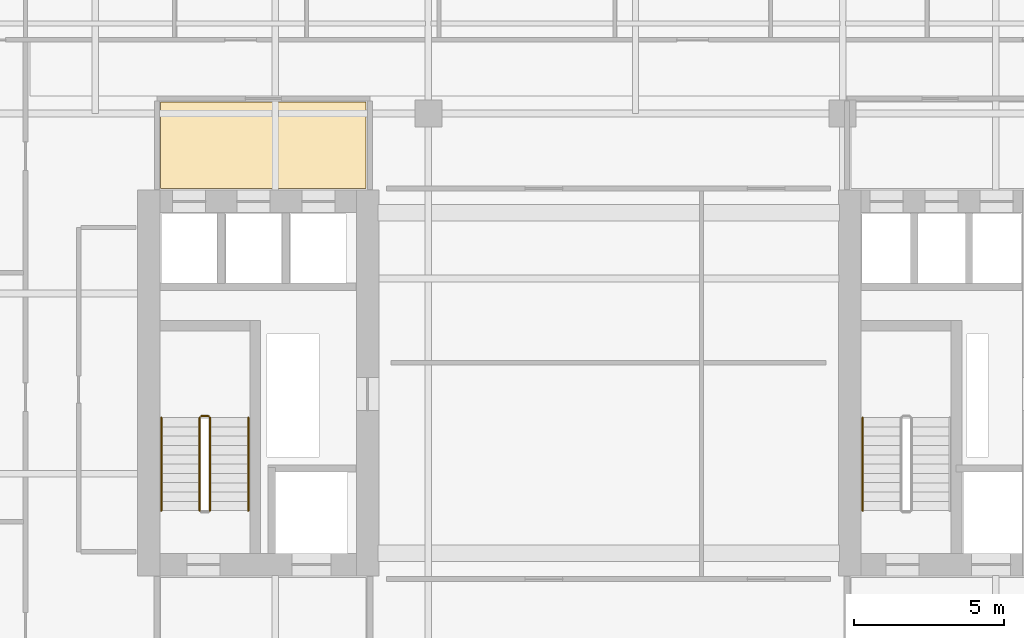
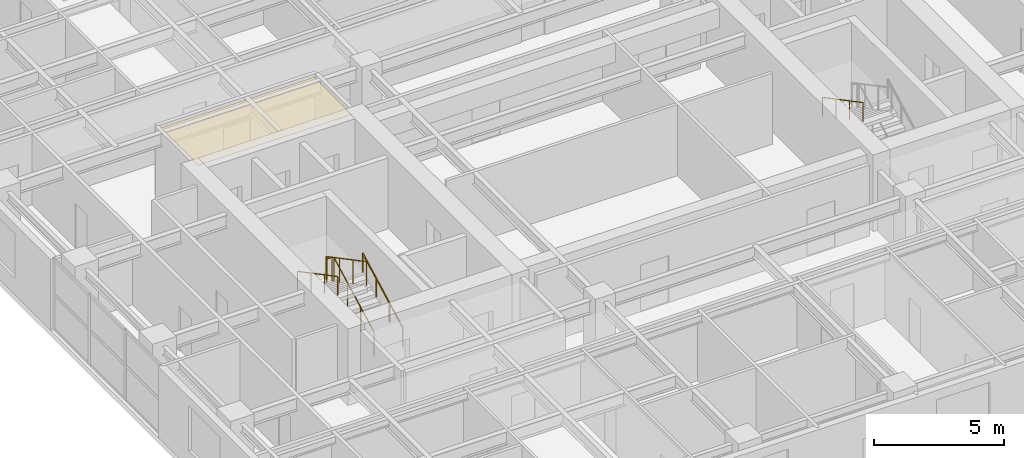
# One storey, part 14 of 16: 6 railings, 1 covering.
"""IFC4 building model written with IfcOpenShell, lengths in metres."""

from ifc_helpers import new_model, si_unit, direction, frame, origin, origin_2d, place, context, subcontext, project, spatial, polyline, circle, outline, extrude, material, layer, layer_set, type_object, element, save


model = new_model("IFC4")

# Units and contexts
model_context = context("Model", 3, precision=1e-05, world=origin(), true_north=direction((0.0, 1.0)))
body_context = subcontext(model_context, "Body", "Model", "MODEL_VIEW")
ifc_project = project(units=[si_unit("LENGTHUNIT", "METRE"), si_unit("AREAUNIT", "SQUARE_METRE"), si_unit("VOLUMEUNIT", "CUBIC_METRE"), si_unit("PLANEANGLEUNIT", "RADIAN"), si_unit("MASSUNIT", "GRAM", prefix="KILO")], contexts=[model_context])

# Site, building, storey
site_placement = place(None, origin())
site = spatial("IfcSite", under=ifc_project, at=site_placement, CompositionType="ELEMENT")
building_placement = place(site_placement, origin())
building = spatial("IfcBuilding", under=site, at=building_placement, Name="Khoralis Quay Care Tower", CompositionType="ELEMENT")
storey_placement = place(building_placement, frame((0.0, 0.0, 137.699951171875)))
storey = spatial("IfcBuildingStorey", under=building, at=storey_placement, Name="L36", CompositionType="ELEMENT", Elevation=137.699951171875)

# Covering
ifc_material_1 = material(Name="Mineral-fibre acoustic ceiling tile")
ifc_layer = layer(ifc_material_1, 0.01806640625)
ifc_layer_set = layer_set([ifc_layer], Name="Mineral-fibre acoustic ceiling tile")
covering_type = type_object("IfcCoveringType", Name="COV-CEIL-AC18", PredefinedType="CEILING", material=ifc_layer_set)
covering_placement = place(storey_placement, frame((0.0, 0.0, 3.192138671875)))
element("IfcCovering", 1, at=covering_placement, inside=storey, type_object=covering_type, Name="Suspended Acoustic Ceiling SP-L36-LLOB-W", PredefinedType="CEILING", context=body_context, shape_type="SweptSolid", body=[
    extrude(outline(polyline([(8.179931640625, 27.5), (15.02001953125, 27.5), (15.02001953125, 30.389892578125), (8.179931640625, 30.389892578125), (8.179931640625, 27.5)])), origin(), (0.0, 0.0, 1.0), 0.017822265625),
])

# Railings
ifc_material_2 = material(Name="Brushed stainless steel", Category="steel")
railing_type_1 = type_object("IfcRailingType", Name="RL-GUARD-1150", PredefinedType="GUARDRAIL", material=ifc_material_2)
railing_1_placement = place(storey_placement, frame((9.820068359375, 16.77001953125, 0.16357421875)))
element("IfcRailing", 2, at=railing_1_placement, inside=storey, type_object=railing_type_1, Name="L36 ST-T1 stair guard 1", PredefinedType="GUARDRAIL", context=body_context, shape_type="SweptSolid", body=[
    extrude(circle(Radius=0.02392578125, at=origin_2d()), frame((0.0, 0.0, 1.1259765625), z_axis=(0.0, 0.884348015382, 0.466828220752), x_axis=(-1.0, 0.0, 0.0)), (0.0, 0.0, 1.0), 3.505615234375),
    extrude(circle(Radius=0.02099609375, at=origin_2d()), origin(), (0.0, 0.0, 1.0), 1.101806640625),
    extrude(circle(Radius=0.02099609375, at=origin_2d()), frame((0.0, 1.033447265625, 0.54541015625)), (0.0, 0.0, 1.0), 1.101806640625),
    extrude(circle(Radius=0.02099609375, at=origin_2d()), frame((0.0, 2.066650390625, 1.091064453125)), (0.0, 0.0, 1.0), 1.101806640625),
    extrude(circle(Radius=0.02099609375, at=origin_2d()), frame((0.0, 3.10009765625, 1.636474609375)), (0.0, 0.0, 1.0), 1.101806640625),
])
railing_2_placement = place(storey_placement, frame((9.77001953125, 19.919921875, 1.800048828125)))
element("IfcRailing", 3, at=railing_2_placement, inside=storey, type_object=railing_type_1, Name="L36 ST-T1 stair guard 2", PredefinedType="GUARDRAIL", context=body_context, shape_type="SweptSolid", body=[
    extrude(circle(Radius=0.02392578125, at=origin_2d()), frame((0.0, 0.0, 1.1259765625), z_axis=(-1.0, 0.0, 0.0), x_axis=(0.0, -1.0, 0.0)), (0.0, 0.0, 1.0), 0.239990234375),
    extrude(circle(Radius=0.02099609375, at=origin_2d()), origin(), (0.0, 0.0, 1.0), 1.101806640625),
    extrude(circle(Radius=0.02099609375, at=origin_2d()), frame((-0.239990234375, 0.0, 0.0)), (0.0, 0.0, 1.0), 1.101806640625),
])
railing_3_placement = place(storey_placement, frame((9.47998046875, 19.8701171875, 1.963623046875)))
element("IfcRailing", 4, at=railing_3_placement, inside=storey, type_object=railing_type_1, Name="L36 ST-T1 stair guard 3", PredefinedType="GUARDRAIL", context=body_context, shape_type="SweptSolid", body=[
    extrude(circle(Radius=0.02392578125, at=origin_2d()), frame((0.0, 0.0, 1.1259765625), z_axis=(0.0, -0.884348015382, 0.466828220752), x_axis=(1.0, 0.0, 0.0)), (0.0, 0.0, 1.0), 3.505615234375),
    extrude(circle(Radius=0.02099609375, at=origin_2d()), origin(), (0.0, 0.0, 1.0), 1.101806640625),
    extrude(circle(Radius=0.02099609375, at=origin_2d()), frame((0.0, -1.033447265625, 0.54541015625)), (0.0, 0.0, 1.0), 1.101806640625),
    extrude(circle(Radius=0.02099609375, at=origin_2d()), frame((0.0, -2.066650390625, 1.091064453125)), (0.0, 0.0, 1.0), 1.101806640625),
    extrude(circle(Radius=0.02099609375, at=origin_2d()), frame((0.0, -3.10009765625, 1.636474609375)), (0.0, 0.0, 1.0), 1.101806640625),
])
railing_type_2 = type_object("IfcRailingType", Name="RL-HAND-900", PredefinedType="HANDRAIL", material=ifc_material_2)
railing_4_placement = place(storey_placement, frame((11.10009765625, 16.77001953125, 0.16357421875)))
element("IfcRailing", 5, at=railing_4_placement, inside=storey, type_object=railing_type_2, Name="L36 ST-T1 stair handrail 1", PredefinedType="HANDRAIL", context=body_context, shape_type="SweptSolid", body=[
    extrude(circle(Radius=0.02392578125, at=origin_2d()), frame((0.0, 0.0, 0.8759765625), z_axis=(0.0, 0.884348015382, 0.466828220752), x_axis=(-1.0, 0.0, 0.0)), (0.0, 0.0, 1.0), 3.505615234375),
    extrude(circle(Radius=0.02099609375, at=origin_2d()), origin(), (0.0, 0.0, 1.0), 0.851806640625),
    extrude(circle(Radius=0.02099609375, at=origin_2d()), frame((0.0, 1.033447265625, 0.54541015625)), (0.0, 0.0, 1.0), 0.851806640625),
    extrude(circle(Radius=0.02099609375, at=origin_2d()), frame((0.0, 2.066650390625, 1.091064453125)), (0.0, 0.0, 1.0), 0.851806640625),
    extrude(circle(Radius=0.02099609375, at=origin_2d()), frame((0.0, 3.10009765625, 1.636474609375)), (0.0, 0.0, 1.0), 0.851806640625),
])
for number, where, name in (
    (6, (8.199951171875, 19.8701171875, 1.963623046875), "L36 ST-T1 stair handrail 2"),
    (7, (31.570068359375, 19.8701171875, 1.963623046875), "L36 ST-T2 stair handrail 2"),
):
    element("IfcRailing", number, at=place(storey_placement, frame(where)), inside=storey, type_object=railing_type_2, Name=name, PredefinedType="HANDRAIL", context=body_context, shape_type="SweptSolid", body=[
        extrude(circle(Radius=0.02392578125, at=origin_2d()), frame((0.0, 0.0, 0.8759765625), z_axis=(0.0, -0.884348015382, 0.466828220752), x_axis=(1.0, 0.0, 0.0)), (0.0, 0.0, 1.0), 3.505615234375),
        extrude(circle(Radius=0.02099609375, at=origin_2d()), origin(), (0.0, 0.0, 1.0), 0.851806640625),
        extrude(circle(Radius=0.02099609375, at=origin_2d()), frame((0.0, -1.033447265625, 0.54541015625)), (0.0, 0.0, 1.0), 0.851806640625),
        extrude(circle(Radius=0.02099609375, at=origin_2d()), frame((0.0, -2.066650390625, 1.091064453125)), (0.0, 0.0, 1.0), 0.851806640625),
        extrude(circle(Radius=0.02099609375, at=origin_2d()), frame((0.0, -3.10009765625, 1.636474609375)), (0.0, 0.0, 1.0), 0.851806640625),
    ])

save(model, "model.ifc")
